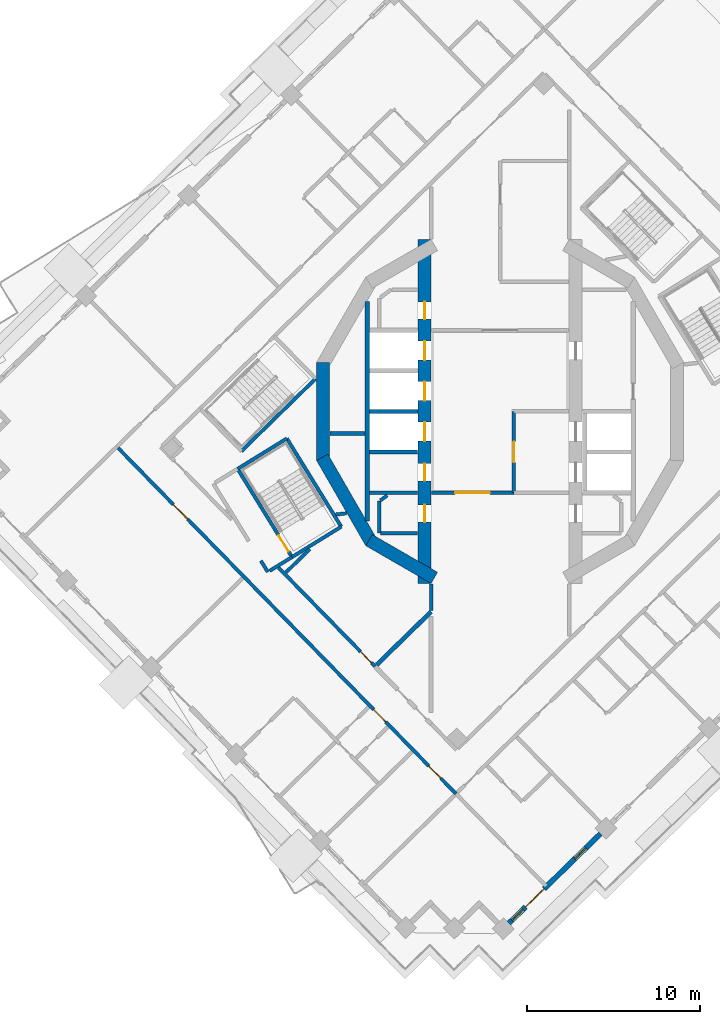
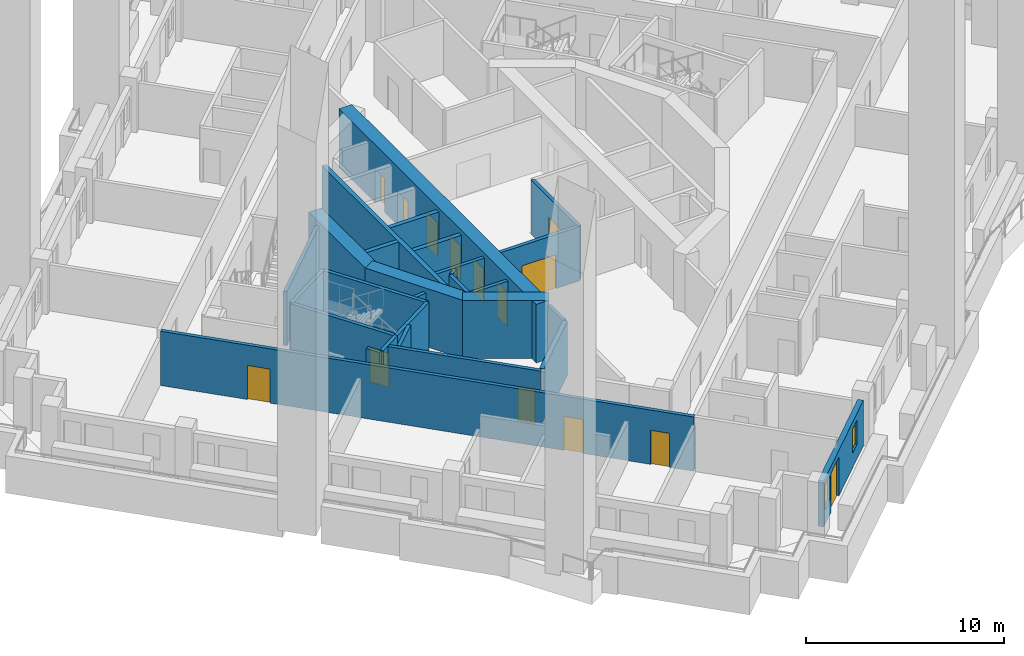
# One storey, part 4 of 17: 28 walls, 14 doors, 2 windows, 16 openings.
"""IFC4 building model written with IfcOpenShell, lengths in metres."""

from ifc_helpers import new_model, si_unit, direction, frame, frame_2d, origin, place, context, subcontext, project, spatial, rectangle, extrude, material, layer, layer_set, type_object, element, fill, save


model = new_model("IFC4")

# Units and contexts
model_context = context("Model", 3, precision=1e-05, world=origin(), true_north=direction((0.0, 1.0)))
body_context = subcontext(model_context, "Body", "Model", "MODEL_VIEW")
ifc_project = project(units=[si_unit("LENGTHUNIT", "METRE"), si_unit("AREAUNIT", "SQUARE_METRE"), si_unit("VOLUMEUNIT", "CUBIC_METRE"), si_unit("PLANEANGLEUNIT", "RADIAN"), si_unit("MASSUNIT", "GRAM", prefix="KILO")], contexts=[model_context])

# Site, building, storey
site_placement = place(None, origin())
site = spatial("IfcSite", under=ifc_project, at=site_placement, CompositionType="ELEMENT")
building_placement = place(site_placement, origin())
building = spatial("IfcBuilding", under=site, at=building_placement, Name="Cantera Rosa Tower", CompositionType="ELEMENT")
storey_placement = place(building_placement, frame((0.0, 0.0, 205.39990234375)))
storey = spatial("IfcBuildingStorey", under=building, at=storey_placement, Name="L43", CompositionType="ELEMENT", Elevation=205.39990234375)

# Wall, openings, doors
ifc_material_1 = material(Name="Gypsum board partition")
ifc_layer_1 = layer(ifc_material_1, 0.199951171875)
ifc_layer_set_1 = layer_set([ifc_layer_1], Name="CORRIDOR WALL 200 H3350")
wall_type_1 = type_object("IfcWallType", Name="CORRIDOR WALL 200 H3350", PredefinedType="PARTITIONING", material=ifc_layer_set_1)
wall_1_placement = place(storey_placement, frame((-22.109130859375, -2.125732421875, 0.0), z_axis=(0.0, 0.0, 1.0), x_axis=(0.698826334324, -0.715291377311, 0.0)))
wall_1 = element("IfcWall", 1, at=wall_1_placement, inside=storey, type_object=wall_type_1, Name="CORRIDOR WALL L43-002", PredefinedType="PARTITIONING", context=body_context, shape_type="SweptSolid", body=[
    extrude(rectangle(XDim=27.97998046875, YDim=0.199951171875, at=frame_2d((13.989990234375, 0.0))), origin(), (0.0, 0.0, 1.0), 3.35009765625),
])
opening_1_placement = place(wall_1_placement, frame((4.550048828125, 0.0, 0.0)))
opening_1 = element("IfcOpeningElement", 2, at=opening_1_placement, cuts=wall_1, Name="Opening L43-038", PredefinedType="OPENING", context=body_context, shape_type="SweptSolid", body=[
    extrude(rectangle(XDim=1.199951171875, YDim=2.10009765625, at=frame_2d((0.60009765625, 1.050048828125))), frame((0.0, 0.10986328125, 0.0), z_axis=(0.0, -1.0, 0.0), x_axis=(1.0, 0.0, 0.0)), (0.0, 0.0, 1.0), 0.219970703125),
])
opening_2_placement = place(wall_1_placement, frame((21.159912109375, 0.0, 0.0)))
opening_2 = element("IfcOpeningElement", 3, at=opening_2_placement, cuts=wall_1, Name="Opening L43-039", PredefinedType="OPENING", context=body_context, shape_type="SweptSolid", body=[
    extrude(rectangle(XDim=1.0, YDim=2.10009765625, at=frame_2d((0.5, 1.050048828125))), frame((0.0, 0.10986328125, 0.0), z_axis=(0.0, -1.0, 0.0), x_axis=(1.0, 0.0, 0.0)), (0.0, 0.0, 1.0), 0.219970703125),
])
opening_3_placement = place(wall_1_placement, frame((25.719970703125, 0.0, 0.0)))
opening_3 = element("IfcOpeningElement", 4, at=opening_3_placement, cuts=wall_1, Name="Opening L43-044", PredefinedType="OPENING", context=body_context, shape_type="SweptSolid", body=[
    extrude(rectangle(XDim=1.0, YDim=2.10009765625, at=frame_2d((0.5, 1.050048828125))), frame((0.0, 0.10986328125, 0.0), z_axis=(0.0, -1.0, 0.0), x_axis=(1.0, 0.0, 0.0)), (0.0, 0.0, 1.0), 0.219970703125),
])
ifc_material_2 = material(Name="Timber door leaf", Category="wood")
door_type_1 = type_object("IfcDoorType", Name="ENTRANCE DOOR 1000x2100", OperationType="NOTDEFINED", PredefinedType="DOOR", material=ifc_material_2)
door_1_placement = place(opening_2_placement, origin())
door_1 = element("IfcDoor", 5, at=door_1_placement, inside=storey, type_object=door_type_1, Name="DOOR L43-039", OperationType="NOTDEFINED", OverallHeight=2.10009765625, OverallWidth=1.0, PredefinedType="DOOR", context=body_context, shape_type="SweptSolid", body=[
    extrude(rectangle(XDim=1.0, YDim=2.10009765625, at=frame_2d((0.5, 1.050048828125))), frame((0.0, 0.02490234375, 0.0), z_axis=(0.0, -1.0, 0.0), x_axis=(1.0, 0.0, 0.0)), (0.0, 0.0, 1.0), 0.050048828125),
])
fill(opening_2, door_1)
ifc_material_3 = material(Name="Timber door leaf", Category="wood")
door_type_2 = type_object("IfcDoorType", Name="ROOM DOOR 1000x2100", OperationType="NOTDEFINED", PredefinedType="DOOR", material=ifc_material_3)
door_2_placement = place(opening_3_placement, origin())
door_2 = element("IfcDoor", 6, at=door_2_placement, inside=storey, type_object=door_type_2, Name="DOOR L43-044", OperationType="NOTDEFINED", OverallHeight=2.10009765625, OverallWidth=1.0, PredefinedType="DOOR", context=body_context, shape_type="SweptSolid", body=[
    extrude(rectangle(XDim=1.0, YDim=2.10009765625, at=frame_2d((0.5, 1.050048828125))), frame((0.0, 0.02490234375, 0.0), z_axis=(0.0, -1.0, 0.0), x_axis=(1.0, 0.0, 0.0)), (0.0, 0.0, 1.0), 0.050048828125),
])
fill(opening_3, door_2)
ifc_material_4 = material(Name="Timber door leaf", Category="wood")
door_type_3 = type_object("IfcDoorType", Name="ROOM DOOR 1200x2100", OperationType="NOTDEFINED", PredefinedType="DOOR", material=ifc_material_4)
door_3_placement = place(opening_1_placement, origin())
door_3 = element("IfcDoor", 7, at=door_3_placement, inside=storey, type_object=door_type_3, Name="DOOR L43-038", OperationType="NOTDEFINED", OverallHeight=2.10009765625, OverallWidth=1.199951171875, PredefinedType="DOOR", context=body_context, shape_type="SweptSolid", body=[
    extrude(rectangle(XDim=1.199951171875, YDim=2.10009765625, at=frame_2d((0.60009765625, 1.050048828125))), frame((0.0, 0.02490234375, 0.0), z_axis=(0.0, -1.0, 0.0), x_axis=(1.0, 0.0, 0.0)), (0.0, 0.0, 1.0), 0.050048828125),
])
fill(opening_1, door_3)

# Walls
wall_2_placement = place(storey_placement, frame((-13.8525390625, -8.64501953125, 0.0), z_axis=(0.0, 0.0, 1.0), x_axis=(0.52482706305, -0.851208877944, 0.0)))
element("IfcWall", 8, at=wall_2_placement, inside=storey, type_object=wall_type_1, Name="CORRIDOR WALL L43-010", PredefinedType="PARTITIONING", context=body_context, shape_type="SweptSolid", body=[
    extrude(rectangle(XDim=0.76513671875, YDim=0.199951171875, at=frame_2d((0.382568359375, 0.0))), origin(), (0.0, 0.0, 1.0), 3.35009765625),
])
wall_3_placement = place(storey_placement, frame((-13.3486328125, -9.2333984375, 0.0), z_axis=(0.0, 0.0, 1.0), x_axis=(0.851042101438, 0.525097459126, 0.0)))
element("IfcWall", 9, at=wall_3_placement, inside=storey, type_object=wall_type_1, Name="CORRIDOR WALL L43-016", PredefinedType="PARTITIONING", context=body_context, shape_type="SweptSolid", body=[
    extrude(rectangle(XDim=1.52490234375, YDim=0.199951171875, at=frame_2d((0.762451171875, 0.0))), origin(), (0.0, 0.0, 1.0), 3.35009765625),
])

# Wall, opening, door
wall_4_placement = place(storey_placement, frame((-12.828125, -9.0498046875, 0.0), z_axis=(0.0, 0.0, 1.0), x_axis=(0.698825688906, -0.715292007871, 0.0)))
wall_4 = element("IfcWall", 10, at=wall_4_placement, inside=storey, type_object=wall_type_1, Name="CORRIDOR WALL L43-019", PredefinedType="PARTITIONING", context=body_context, shape_type="SweptSolid", body=[
    extrude(rectangle(XDim=7.991455078125, YDim=0.199951171875, at=frame_2d((3.99560546875, 0.0))), origin(), (0.0, 0.0, 1.0), 3.35009765625),
])
opening_4_placement = place(wall_4_placement, frame((6.79150390625, 0.0, 0.0)))
opening_4 = element("IfcOpeningElement", 11, at=opening_4_placement, cuts=wall_4, Name="Opening L43-009", PredefinedType="OPENING", context=body_context, shape_type="SweptSolid", body=[
    extrude(rectangle(XDim=0.89990234375, YDim=2.10009765625, at=frame_2d((0.449951171875, 1.050048828125))), frame((0.0, 0.10986328125, 0.0), z_axis=(0.0, -1.0, 0.0), x_axis=(1.0, 0.0, 0.0)), (0.0, 0.0, 1.0), 0.219970703125),
])
ifc_material_5 = material(Name="Timber door leaf", Category="wood")
door_type_4 = type_object("IfcDoorType", Name="SERVICE DOOR 900x2100", OperationType="NOTDEFINED", PredefinedType="DOOR", material=ifc_material_5)
door_4_placement = place(opening_4_placement, origin())
door_4 = element("IfcDoor", 12, at=door_4_placement, inside=storey, type_object=door_type_4, Name="DOOR L43-009", OperationType="NOTDEFINED", OverallHeight=2.10009765625, OverallWidth=0.89990234375, PredefinedType="DOOR", context=body_context, shape_type="SweptSolid", body=[
    extrude(rectangle(XDim=0.89990234375, YDim=2.10009765625, at=frame_2d((0.449951171875, 1.050048828125))), frame((0.0, 0.02490234375, 0.0), z_axis=(0.0, -1.0, 0.0), x_axis=(1.0, 0.0, 0.0)), (0.0, 0.0, 1.0), 0.050048828125),
])
fill(opening_4, door_4)

# Wall
wall_5_placement = place(storey_placement, frame((-4.0, -9.994140625, 0.0), z_axis=(0.0, 0.0, 1.0), x_axis=(0.0, -1.0, 0.0)))
element("IfcWall", 13, at=wall_5_placement, inside=storey, type_object=wall_type_1, Name="CORRIDOR WALL L43-057", PredefinedType="PARTITIONING", context=body_context, shape_type="SweptSolid", body=[
    extrude(rectangle(XDim=1.52294921875, YDim=0.199951171875, at=frame_2d((0.761474609375, 0.0))), origin(), (0.0, 0.0, 1.0), 3.35009765625),
])

# Wall, opening, door
wall_6_placement = place(storey_placement, frame((0.800048828125, -4.699951171875, 0.0), z_axis=(0.0, 0.0, 1.0), x_axis=(-1.0, 0.0, 0.0)))
wall_6 = element("IfcWall", 14, at=wall_6_placement, inside=storey, type_object=wall_type_1, Name="CORRIDOR WALL L43-068", PredefinedType="PARTITIONING", context=body_context, shape_type="SweptSolid", body=[
    extrude(rectangle(XDim=4.77001953125, YDim=0.199951171875, at=frame_2d((2.385009765625, 0.0))), origin(), (0.0, 0.0, 1.0), 3.35009765625),
])
opening_5_placement = place(wall_6_placement, frame((1.39990234375, 0.0, 0.0)))
opening_5 = element("IfcOpeningElement", 15, at=opening_5_placement, cuts=wall_6, Name="Opening L43-015", PredefinedType="OPENING", context=body_context, shape_type="SweptSolid", body=[
    extrude(rectangle(XDim=2.0, YDim=2.10009765625, at=frame_2d((1.0, 1.050048828125))), frame((0.0, 0.10986328125, 0.0), z_axis=(0.0, -1.0, 0.0), x_axis=(1.0, 0.0, 0.0)), (0.0, 0.0, 1.0), 0.219970703125),
])
ifc_material_6 = material(Name="Steel S355J2 (EN 10025-2)", Category="steel")
door_type_5 = type_object("IfcDoorType", Name="LOBBY SCREEN DOOR 2000x2100", OperationType="NOTDEFINED", PredefinedType="DOOR", material=ifc_material_6)
door_5_placement = place(opening_5_placement, origin())
door_5 = element("IfcDoor", 16, at=door_5_placement, inside=storey, type_object=door_type_5, Name="DOOR L43-015", OperationType="NOTDEFINED", OverallHeight=2.10009765625, OverallWidth=2.0, PredefinedType="DOOR", context=body_context, shape_type="SweptSolid", body=[
    extrude(rectangle(XDim=2.0, YDim=2.10009765625, at=frame_2d((1.0, 1.050048828125))), frame((0.0, 0.02490234375, 0.0), z_axis=(0.0, -1.0, 0.0), x_axis=(1.0, 0.0, 0.0)), (0.0, 0.0, 1.0), 0.050048828125),
])
fill(opening_5, door_5)

# Wall, openings, windows, door
ifc_material_7 = material(Name="Hollow clay masonry with cantera stone cladding", Category="masonry")
ifc_layer_2 = layer(ifc_material_7, 0.300048828125)
ifc_layer_set_2 = layer_set([ifc_layer_2], Name="EW-LOGGIA 300 H2820")
wall_type_2 = type_object("IfcWallType", Name="EW-LOGGIA 300 H2820", PredefinedType="SOLIDWALL", material=ifc_layer_set_2)
wall_7_placement = place(storey_placement, frame((0.503662109375, -29.6357421875, 0.0), z_axis=(0.0, 0.0, 1.0), x_axis=(0.715284379566, 0.698833496871, 0.0)))
wall_7 = element("IfcWall", 17, at=wall_7_placement, inside=storey, type_object=wall_type_2, Name="EN-L43-W21", PredefinedType="SOLIDWALL", context=body_context, shape_type="SweptSolid", body=[
    extrude(rectangle(XDim=7.42041015625, YDim=0.300048828125, at=frame_2d((3.710205078125, 0.0))), origin(), (0.0, 0.0, 1.0), 2.820068359375),
])
opening_6_placement = place(wall_7_placement, frame((0.25, 0.0, 0.89990234375)))
opening_6 = element("IfcOpeningElement", 18, at=opening_6_placement, cuts=wall_7, Name="Opening L43-W37", PredefinedType="OPENING", context=body_context, shape_type="SweptSolid", body=[
    extrude(rectangle(XDim=0.89990234375, YDim=1.5, at=frame_2d((0.449951171875, 0.75))), frame((0.0, 0.159912109375, 0.0), z_axis=(0.0, -1.0, 0.0), x_axis=(1.0, 0.0, 0.0)), (0.0, 0.0, 1.0), 0.320068359375),
])
opening_7_placement = place(wall_7_placement, frame((1.35009765625, 0.0, 0.0)))
opening_7 = element("IfcOpeningElement", 19, at=opening_7_placement, cuts=wall_7, Name="Opening L43-TD38", PredefinedType="OPENING", context=body_context, shape_type="SweptSolid", body=[
    extrude(rectangle(XDim=1.5, YDim=2.39990234375, at=frame_2d((0.75, 1.199951171875))), frame((0.0, 0.159912109375, 0.0), z_axis=(0.0, -1.0, 0.0), x_axis=(1.0, 0.0, 0.0)), (0.0, 0.0, 1.0), 0.320068359375),
])
opening_8_placement = place(wall_7_placement, frame((5.340087890625, 0.0, 0.89990234375)))
opening_8 = element("IfcOpeningElement", 20, at=opening_8_placement, cuts=wall_7, Name="Opening L43-W39", PredefinedType="OPENING", context=body_context, shape_type="SweptSolid", body=[
    extrude(rectangle(XDim=0.89990234375, YDim=1.5, at=frame_2d((0.449951171875, 0.75))), frame((0.0, 0.159912109375, 0.0), z_axis=(0.0, -1.0, 0.0), x_axis=(1.0, 0.0, 0.0)), (0.0, 0.0, 1.0), 0.320068359375),
])
ifc_material_8 = material(Name="Aluminium frame with clear glass", Category="aluminium")
window_type = type_object("IfcWindowType", Name="Residential window 900x1500", PartitioningType="SINGLE_PANEL", PredefinedType="WINDOW", material=ifc_material_8)
window_1_placement = place(opening_6_placement, origin())
window_1 = element("IfcWindow", 21, at=window_1_placement, inside=storey, type_object=window_type, Name="WINDOW L43-W37", OverallHeight=1.5, OverallWidth=0.89990234375, PartitioningType="SINGLE_PANEL", PredefinedType="WINDOW", context=body_context, shape_type="SweptSolid", body=[
    extrude(rectangle(XDim=0.89990234375, YDim=1.5, at=frame_2d((0.449951171875, 0.75))), frame((0.0, 0.030029296875, 0.0), z_axis=(0.0, -1.0, 0.0), x_axis=(1.0, 0.0, 0.0)), (0.0, 0.0, 1.0), 0.06005859375),
])
fill(opening_6, window_1)
window_2_placement = place(opening_8_placement, origin())
window_2 = element("IfcWindow", 22, at=window_2_placement, inside=storey, type_object=window_type, Name="WINDOW L43-W39", OverallHeight=1.5, OverallWidth=0.89990234375, PartitioningType="SINGLE_PANEL", PredefinedType="WINDOW", context=body_context, shape_type="SweptSolid", body=[
    extrude(rectangle(XDim=0.89990234375, YDim=1.5, at=frame_2d((0.449951171875, 0.75))), frame((0.0, 0.030029296875, 0.0), z_axis=(0.0, -1.0, 0.0), x_axis=(1.0, 0.0, 0.0)), (0.0, 0.0, 1.0), 0.06005859375),
])
fill(opening_8, window_2)
ifc_material_9 = material(Name="Aluminium frame with clear glass", Category="aluminium")
door_type_6 = type_object("IfcDoorType", Name="TD-R 1500x2400", OperationType="NOTDEFINED", PredefinedType="DOOR", material=ifc_material_9)
door_6_placement = place(opening_7_placement, origin())
door_6 = element("IfcDoor", 23, at=door_6_placement, inside=storey, type_object=door_type_6, Name="LOGGIA DOOR L43-TD38", OperationType="SLIDING_TO_LEFT", OverallHeight=2.39990234375, OverallWidth=1.5, PredefinedType="DOOR", context=body_context, shape_type="SweptSolid", body=[
    extrude(rectangle(XDim=1.5, YDim=2.39990234375, at=frame_2d((0.75, 1.199951171875))), frame((0.0, 0.02490234375, 0.0), z_axis=(0.0, -1.0, 0.0), x_axis=(1.0, 0.0, 0.0)), (0.0, 0.0, 1.0), 0.050048828125),
])
fill(opening_7, door_6)

# Walls
ifc_material_10 = material(Name="Gypsum board partition")
ifc_layer_3 = layer(ifc_material_10, 0.199951171875)
ifc_layer_set_3 = layer_set([ifc_layer_3], Name="PARTITION 200 H3350")
wall_type_3 = type_object("IfcWallType", Name="PARTITION 200 H3350", PredefinedType="PARTITIONING", material=ifc_layer_set_3)
wall_8_placement = place(storey_placement, frame((-12.398681640625, -9.3173828125, 0.0), z_axis=(0.0, 0.0, 1.0), x_axis=(0.715286416819, 0.698831411654, 0.0)))
element("IfcWall", 24, at=wall_8_placement, inside=storey, type_object=wall_type_3, Name="PARTITION L43-022", PredefinedType="PARTITIONING", context=body_context, shape_type="SweptSolid", body=[
    extrude(rectangle(XDim=1.9287109375, YDim=0.199951171875, at=frame_2d((0.96435546875, 0.0))), origin(), (0.0, 0.0, 1.0), 3.35009765625),
])
wall_9_placement = place(storey_placement, frame((-8.8984375, -5.897705078125, 0.0), z_axis=(0.0, 0.0, 1.0), x_axis=(-0.99324363657, -0.11604774196, 0.0)))
element("IfcWall", 25, at=wall_9_placement, inside=storey, type_object=wall_type_3, Name="PARTITION L43-032", PredefinedType="PARTITIONING", context=body_context, shape_type="SweptSolid", body=[
    extrude(rectangle(XDim=0.624755859375, YDim=0.199951171875, at=frame_2d((0.3125, 0.0))), origin(), (0.0, 0.0, 1.0), 3.35009765625),
])
wall_10_placement = place(storey_placement, frame((-7.0, -7.050048828125, 0.0), z_axis=(0.0, 0.0, 1.0), x_axis=(0.0, 1.0, 0.0)))
element("IfcWall", 26, at=wall_10_placement, inside=storey, type_object=wall_type_3, Name="PARTITION L43-043", PredefinedType="PARTITIONING", context=body_context, shape_type="SweptSolid", body=[
    extrude(rectangle(XDim=1.85009765625, YDim=0.199951171875, at=frame_2d((0.925048828125, 0.0))), origin(), (0.0, 0.0, 1.0), 3.35009765625),
])
wall_11_placement = place(storey_placement, frame((-6.935302734375, -5.15283203125, 0.0), z_axis=(0.0, 0.0, 1.0), x_axis=(0.808368872862, 0.588676282338, 0.0)))
element("IfcWall", 27, at=wall_11_placement, inside=storey, type_object=wall_type_3, Name="PARTITION L43-044", PredefinedType="PARTITIONING", context=body_context, shape_type="SweptSolid", body=[
    extrude(rectangle(XDim=0.489013671875, YDim=0.199951171875, at=frame_2d((0.24462890625, 0.0))), origin(), (0.0, 0.0, 1.0), 3.35009765625),
])
wall_12_placement = place(storey_placement, frame((-4.780029296875, -7.050048828125, 0.0), z_axis=(0.0, 0.0, 1.0), x_axis=(-1.0, 0.0, 0.0)))
element("IfcWall", 28, at=wall_12_placement, inside=storey, type_object=wall_type_3, Name="PARTITION L43-052", PredefinedType="PARTITIONING", context=body_context, shape_type="SweptSolid", body=[
    extrude(rectangle(XDim=2.139892578125, YDim=0.199951171875, at=frame_2d((1.06982421875, 0.0))), origin(), (0.0, 0.0, 1.0), 3.35009765625),
])
wall_13_placement = place(storey_placement, frame((-4.780029296875, -4.699951171875, 0.0), z_axis=(0.0, 0.0, 1.0), x_axis=(-1.0, 0.0, 0.0)))
element("IfcWall", 29, at=wall_13_placement, inside=storey, type_object=wall_type_3, Name="PARTITION L43-053", PredefinedType="PARTITIONING", context=body_context, shape_type="SweptSolid", body=[
    extrude(rectangle(XDim=2.794921875, YDim=0.199951171875, at=frame_2d((1.3974609375, 0.0))), origin(), (0.0, 0.0, 1.0), 3.35009765625),
])
ifc_material_11 = material(Name="Concrete C60/75", Category="concrete")
ifc_layer_4 = layer(ifc_material_11, 0.75)
ifc_layer_set_4 = layer_set([ifc_layer_4], Name="RC CORE WALL 750 C60/75")
wall_type_4 = type_object("IfcWallType", Name="RC CORE WALL 750 C60/75", PredefinedType="SHEAR", material=ifc_layer_set_4)
wall_14_placement = place(storey_placement, frame((-3.8125, -9.634765625, 0.0), z_axis=(0.0, 0.0, 1.0), x_axis=(-0.866013176292, 0.50002117804, 0.0)))
element("IfcWall", 30, at=wall_14_placement, inside=storey, type_object=wall_type_4, Name="CW-W1 L43", PredefinedType="SHEAR", context=body_context, shape_type="SweptSolid", body=[
    extrude(rectangle(XDim=4.362548828125, YDim=0.75, at=frame_2d((2.18115234375, 0.0))), origin(), (0.0, 0.0, 1.0), 3.60009765625),
])
wall_15_placement = place(storey_placement, frame((-7.453369140625, -7.590576171875, 0.0), z_axis=(0.0, 0.0, 1.0), x_axis=(-0.500021842983, 0.866012792365, 0.0)))
element("IfcWall", 31, at=wall_15_placement, inside=storey, type_object=wall_type_4, Name="CW-W2 L43", PredefinedType="SHEAR", context=body_context, shape_type="SweptSolid", body=[
    extrude(rectangle(XDim=5.694091796875, YDim=0.75, at=frame_2d((2.84716796875, 0.0))), origin(), (0.0, 0.0, 1.0), 3.60009765625),
])
wall_16_placement = place(storey_placement, frame((-10.250244140625, -2.846923828125, 0.0), z_axis=(0.0, 0.0, 1.0), x_axis=(0.0, 1.0, 0.0)))
element("IfcWall", 32, at=wall_16_placement, inside=storey, type_object=wall_type_4, Name="CW-W3 L43", PredefinedType="SHEAR", context=body_context, shape_type="SweptSolid", body=[
    extrude(rectangle(XDim=5.69384765625, YDim=0.75, at=frame_2d((2.846923828125, 0.0))), origin(), (0.0, 0.0, 1.0), 3.60009765625),
])

# Wall, openings, doors
wall_17_placement = place(storey_placement, frame((-4.375, 9.95947265625, 0.0), z_axis=(0.0, 0.0, 1.0), x_axis=(0.0, -1.0, 0.0)))
wall_17 = element("IfcWall", 33, at=wall_17_placement, inside=storey, type_object=wall_type_4, Name="CW-W6 L43", PredefinedType="SHEAR", context=body_context, shape_type="SweptSolid", body=[
    extrude(rectangle(XDim=19.9189453125, YDim=0.75, at=frame_2d((9.95947265625, 0.0))), origin(), (0.0, 0.0, 1.0), 3.60009765625),
])
opening_9_placement = place(wall_17_placement, frame((10.58447265625, 0.0, 0.0)))
opening_9 = element("IfcOpeningElement", 34, at=opening_9_placement, cuts=wall_17, Name="Opening LD-H1-L43", PredefinedType="OPENING", context=body_context, shape_type="SweptSolid", body=[
    extrude(rectangle(XDim=1.10009765625, YDim=2.10009765625, at=frame_2d((0.550048828125, 1.050048828125))), frame((0.0, 0.385009765625, 0.0), z_axis=(0.0, -1.0, 0.0), x_axis=(1.0, 0.0, 0.0)), (0.0, 0.0, 1.0), 0.77001953125),
])
opening_10_placement = place(wall_17_placement, frame((8.234619140625, 0.0, 0.0)))
opening_10 = element("IfcOpeningElement", 35, at=opening_10_placement, cuts=wall_17, Name="Opening LD-H2-L43", PredefinedType="OPENING", context=body_context, shape_type="SweptSolid", body=[
    extrude(rectangle(XDim=1.10009765625, YDim=2.10009765625, at=frame_2d((0.550048828125, 1.050048828125))), frame((0.0, 0.385009765625, 0.0), z_axis=(0.0, -1.0, 0.0), x_axis=(1.0, 0.0, 0.0)), (0.0, 0.0, 1.0), 0.77001953125),
])
opening_11_placement = place(wall_17_placement, frame((5.884521484375, 0.0, 0.0)))
opening_11 = element("IfcOpeningElement", 36, at=opening_11_placement, cuts=wall_17, Name="Opening LD-H3-L43", PredefinedType="OPENING", context=body_context, shape_type="SweptSolid", body=[
    extrude(rectangle(XDim=1.10009765625, YDim=2.10009765625, at=frame_2d((0.550048828125, 1.050048828125))), frame((0.0, 0.385009765625, 0.0), z_axis=(0.0, -1.0, 0.0), x_axis=(1.0, 0.0, 0.0)), (0.0, 0.0, 1.0), 0.77001953125),
])
opening_12_placement = place(wall_17_placement, frame((15.368408203125, 0.0, 0.0)))
opening_12 = element("IfcOpeningElement", 37, at=opening_12_placement, cuts=wall_17, Name="Opening SD-L43-18", PredefinedType="OPENING", context=body_context, shape_type="SweptSolid", body=[
    extrude(rectangle(XDim=1.0, YDim=2.10009765625, at=frame_2d((0.5, 1.050048828125))), frame((0.0, 0.385009765625, 0.0), z_axis=(0.0, -1.0, 0.0), x_axis=(1.0, 0.0, 0.0)), (0.0, 0.0, 1.0), 0.77001953125),
])
opening_13_placement = place(wall_17_placement, frame((3.618408203125, 0.0, 0.0)))
opening_13 = element("IfcOpeningElement", 38, at=opening_13_placement, cuts=wall_17, Name="Opening SD-L43-19", PredefinedType="OPENING", context=body_context, shape_type="SweptSolid", body=[
    extrude(rectangle(XDim=1.0, YDim=2.10009765625, at=frame_2d((0.5, 1.050048828125))), frame((0.0, 0.385009765625, 0.0), z_axis=(0.0, -1.0, 0.0), x_axis=(1.0, 0.0, 0.0)), (0.0, 0.0, 1.0), 0.77001953125),
])
opening_14_placement = place(wall_17_placement, frame((12.984619140625, 0.0, 0.0)))
opening_14 = element("IfcOpeningElement", 39, at=opening_14_placement, cuts=wall_17, Name="Opening SD-L43-20", PredefinedType="OPENING", context=body_context, shape_type="SweptSolid", body=[
    extrude(rectangle(XDim=1.0, YDim=2.10009765625, at=frame_2d((0.5, 1.050048828125))), frame((0.0, 0.385009765625, 0.0), z_axis=(0.0, -1.0, 0.0), x_axis=(1.0, 0.0, 0.0)), (0.0, 0.0, 1.0), 0.77001953125),
])
ifc_material_12 = material(Name="Steel S355J2 (EN 10025-2)", Category="steel")
door_type_7 = type_object("IfcDoorType", Name="LANDING DOOR 1100x2100", OperationType="NOTDEFINED", PredefinedType="DOOR", material=ifc_material_12)
door_7_placement = place(opening_9_placement, origin())
door_7 = element("IfcDoor", 40, at=door_7_placement, inside=storey, type_object=door_type_7, Name="LANDING DOOR H1 L43", OperationType="SLIDING_TO_LEFT", OverallHeight=2.10009765625, OverallWidth=1.10009765625, PredefinedType="DOOR", context=body_context, shape_type="SweptSolid", body=[
    extrude(rectangle(XDim=1.10009765625, YDim=2.10009765625, at=frame_2d((0.550048828125, 1.050048828125))), frame((0.0, 0.02490234375, 0.0), z_axis=(0.0, -1.0, 0.0), x_axis=(1.0, 0.0, 0.0)), (0.0, 0.0, 1.0), 0.050048828125),
])
fill(opening_9, door_7)
door_8_placement = place(opening_10_placement, origin())
door_8 = element("IfcDoor", 41, at=door_8_placement, inside=storey, type_object=door_type_7, Name="LANDING DOOR H2 L43", OperationType="SLIDING_TO_LEFT", OverallHeight=2.10009765625, OverallWidth=1.10009765625, PredefinedType="DOOR", context=body_context, shape_type="SweptSolid", body=[
    extrude(rectangle(XDim=1.10009765625, YDim=2.10009765625, at=frame_2d((0.550048828125, 1.050048828125))), frame((0.0, 0.02490234375, 0.0), z_axis=(0.0, -1.0, 0.0), x_axis=(1.0, 0.0, 0.0)), (0.0, 0.0, 1.0), 0.050048828125),
])
fill(opening_10, door_8)
door_9_placement = place(opening_11_placement, origin())
door_9 = element("IfcDoor", 42, at=door_9_placement, inside=storey, type_object=door_type_7, Name="LANDING DOOR H3 L43", OperationType="SLIDING_TO_LEFT", OverallHeight=2.10009765625, OverallWidth=1.10009765625, PredefinedType="DOOR", context=body_context, shape_type="SweptSolid", body=[
    extrude(rectangle(XDim=1.10009765625, YDim=2.10009765625, at=frame_2d((0.550048828125, 1.050048828125))), frame((0.0, 0.02490234375, 0.0), z_axis=(0.0, -1.0, 0.0), x_axis=(1.0, 0.0, 0.0)), (0.0, 0.0, 1.0), 0.050048828125),
])
fill(opening_11, door_9)
ifc_material_13 = material(Name="Timber door leaf", Category="wood")
door_type_8 = type_object("IfcDoorType", Name="SERVICE DOOR 1000x2100", OperationType="NOTDEFINED", PredefinedType="DOOR", material=ifc_material_13)
door_10_placement = place(opening_12_placement, origin())
door_10 = element("IfcDoor", 43, at=door_10_placement, inside=storey, type_object=door_type_8, Name="DOOR L43-SD18", OperationType="NOTDEFINED", OverallHeight=2.10009765625, OverallWidth=1.0, PredefinedType="DOOR", context=body_context, shape_type="SweptSolid", body=[
    extrude(rectangle(XDim=1.0, YDim=2.10009765625, at=frame_2d((0.5, 1.050048828125))), frame((0.0, 0.02490234375, 0.0), z_axis=(0.0, -1.0, 0.0), x_axis=(1.0, 0.0, 0.0)), (0.0, 0.0, 1.0), 0.050048828125),
])
fill(opening_12, door_10)
door_11_placement = place(opening_13_placement, origin())
door_11 = element("IfcDoor", 44, at=door_11_placement, inside=storey, type_object=door_type_8, Name="DOOR L43-SD19", OperationType="NOTDEFINED", OverallHeight=2.10009765625, OverallWidth=1.0, PredefinedType="DOOR", context=body_context, shape_type="SweptSolid", body=[
    extrude(rectangle(XDim=1.0, YDim=2.10009765625, at=frame_2d((0.5, 1.050048828125))), frame((0.0, 0.02490234375, 0.0), z_axis=(0.0, -1.0, 0.0), x_axis=(1.0, 0.0, 0.0)), (0.0, 0.0, 1.0), 0.050048828125),
])
fill(opening_13, door_11)
door_12_placement = place(opening_14_placement, origin())
door_12 = element("IfcDoor", 45, at=door_12_placement, inside=storey, type_object=door_type_8, Name="DOOR L43-SD20", OperationType="NOTDEFINED", OverallHeight=2.10009765625, OverallWidth=1.0, PredefinedType="DOOR", context=body_context, shape_type="SweptSolid", body=[
    extrude(rectangle(XDim=1.0, YDim=2.10009765625, at=frame_2d((0.5, 1.050048828125))), frame((0.0, 0.02490234375, 0.0), z_axis=(0.0, -1.0, 0.0), x_axis=(1.0, 0.0, 0.0)), (0.0, 0.0, 1.0), 0.050048828125),
])
fill(opening_14, door_12)

# Walls
ifc_material_14 = material(Name="Masonry blockwork", Category="masonry")
ifc_layer_5 = layer(ifc_material_14, 0.25)
ifc_layer_set_5 = layer_set([ifc_layer_5], Name="SHAFT WALL 250 H3350")
wall_type_5 = type_object("IfcWallType", Name="SHAFT WALL 250 H3350", PredefinedType="SOLIDWALL", material=ifc_layer_set_5)
wall_18_placement = place(storey_placement, frame((-9.84521484375, -1.28271484375, 0.0), z_axis=(0.0, 0.0, 1.0), x_axis=(1.0, 0.0, 0.0)))
element("IfcWall", 46, at=wall_18_placement, inside=storey, type_object=wall_type_5, Name="SHAFT WALL L43-027", PredefinedType="SOLIDWALL", context=body_context, shape_type="SweptSolid", body=[
    extrude(rectangle(XDim=2.020263671875, YDim=0.25, at=frame_2d((1.01025390625, 0.0))), origin(), (0.0, 0.0, 1.0), 3.35009765625),
])
wall_19_placement = place(storey_placement, frame((-7.574951171875, -2.35009765625, 0.0), z_axis=(0.0, 0.0, 1.0), x_axis=(1.0, 0.0, 0.0)))
element("IfcWall", 47, at=wall_19_placement, inside=storey, type_object=wall_type_5, Name="SHAFT WALL L43-036", PredefinedType="SOLIDWALL", context=body_context, shape_type="SweptSolid", body=[
    extrude(rectangle(XDim=2.794921875, YDim=0.25, at=frame_2d((1.3974609375, 0.0))), origin(), (0.0, 0.0, 1.0), 3.35009765625),
])
wall_20_placement = place(storey_placement, frame((-7.574951171875, 0.0, 0.0), z_axis=(0.0, 0.0, 1.0), x_axis=(1.0, 0.0, 0.0)))
element("IfcWall", 48, at=wall_20_placement, inside=storey, type_object=wall_type_5, Name="SHAFT WALL L43-037", PredefinedType="SOLIDWALL", context=body_context, shape_type="SweptSolid", body=[
    extrude(rectangle(XDim=2.824951171875, YDim=0.25, at=frame_2d((1.41259765625, 0.0))), origin(), (0.0, 0.0, 1.0), 3.35009765625),
])
wall_21_placement = place(storey_placement, frame((-7.699951171875, 6.353515625, 0.0), z_axis=(0.0, 0.0, 1.0), x_axis=(0.0, -1.0, 0.0)))
element("IfcWall", 49, at=wall_21_placement, inside=storey, type_object=wall_type_5, Name="SHAFT WALL L43-040", PredefinedType="SOLIDWALL", context=body_context, shape_type="SweptSolid", body=[
    extrude(rectangle(XDim=12.70703125, YDim=0.25, at=frame_2d((6.353515625, 0.0))), origin(), (0.0, 0.0, 1.0), 3.35009765625),
])
wall_22_placement = place(storey_placement, frame((-4.0, -11.59716796875, 0.0), z_axis=(0.0, 0.0, 1.0), x_axis=(-0.715281237186, -0.698836713209, 0.0)))
element("IfcWall", 50, at=wall_22_placement, inside=storey, type_object=wall_type_5, Name="SHAFT WALL L43-055", PredefinedType="SOLIDWALL", context=body_context, shape_type="SweptSolid", body=[
    extrude(rectangle(XDim=4.39453125, YDim=0.25, at=frame_2d((2.197265625, 0.0))), origin(), (0.0, 0.0, 1.0), 3.35009765625),
])
ifc_material_15 = material(Name="Concrete C50/60", Category="concrete")
ifc_layer_6 = layer(ifc_material_15, 0.199951171875)
ifc_layer_set_6 = layer_set([ifc_layer_6], Name="STAIR WALL 200 H3350")
wall_type_6 = type_object("IfcWallType", Name="STAIR WALL 200 H3350", PredefinedType="SOLIDWALL", material=ifc_layer_set_6)
wall_23_placement = place(storey_placement, frame((-14.975341796875, -2.294677734375, 0.0), z_axis=(0.0, 0.0, 1.0), x_axis=(0.715278260946, 0.698839759471, 0.0)))
element("IfcWall", 51, at=wall_23_placement, inside=storey, type_object=wall_type_6, Name="STAIR WALL L43-014", PredefinedType="SOLIDWALL", context=body_context, shape_type="SweptSolid", body=[
    extrude(rectangle(XDim=6.0, YDim=0.199951171875, at=frame_2d((3.0, 0.0))), origin(), (0.0, 0.0, 1.0), 3.35009765625),
])
wall_24_placement = place(storey_placement, frame((-12.349365234375, -1.5673828125, 0.0), z_axis=(0.0, 0.0, 1.0), x_axis=(-0.85113993661, -0.524938861495, 0.0)))
element("IfcWall", 52, at=wall_24_placement, inside=storey, type_object=wall_type_6, Name="STAIR WALL L43-023", PredefinedType="SOLIDWALL", context=body_context, shape_type="SweptSolid", body=[
    extrude(rectangle(XDim=3.35009765625, YDim=0.199951171875, at=frame_2d((1.675048828125, 0.0))), origin(), (0.0, 0.0, 1.0), 3.35009765625),
])

# Wall, opening, door
wall_25_placement = place(storey_placement, frame((-12.05078125, -8.4326171875, 0.0), z_axis=(0.0, 0.0, 1.0), x_axis=(-0.524982543144, 0.851112994493, 0.0)))
wall_25 = element("IfcWall", 53, at=wall_25_placement, inside=storey, type_object=wall_type_6, Name="STAIR WALL L43-024", PredefinedType="SOLIDWALL", context=body_context, shape_type="SweptSolid", body=[
    extrude(rectangle(XDim=6.0, YDim=0.199951171875, at=frame_2d((3.0, 0.0))), origin(), (0.0, 0.0, 1.0), 3.35009765625),
])
opening_15_placement = place(wall_25_placement, frame((0.375, 0.0, 0.0)))
opening_15 = element("IfcOpeningElement", 54, at=opening_15_placement, cuts=wall_25, Name="Opening L43-005", PredefinedType="OPENING", context=body_context, shape_type="SweptSolid", body=[
    extrude(rectangle(XDim=1.10009765625, YDim=2.10009765625, at=frame_2d((0.550048828125, 1.050048828125))), frame((0.0, 0.10986328125, 0.0), z_axis=(0.0, -1.0, 0.0), x_axis=(1.0, 0.0, 0.0)), (0.0, 0.0, 1.0), 0.219970703125),
])
ifc_material_16 = material(Name="Steel S355J2 (EN 10025-2)", Category="steel")
door_type_9 = type_object("IfcDoorType", Name="STAIR DOOR 1100x2100", OperationType="NOTDEFINED", PredefinedType="DOOR", material=ifc_material_16)
door_13_placement = place(opening_15_placement, origin())
door_13 = element("IfcDoor", 55, at=door_13_placement, inside=storey, type_object=door_type_9, Name="DOOR L43-005", OperationType="NOTDEFINED", OverallHeight=2.10009765625, OverallWidth=1.10009765625, PredefinedType="DOOR", context=body_context, shape_type="SweptSolid", body=[
    extrude(rectangle(XDim=1.10009765625, YDim=2.10009765625, at=frame_2d((0.550048828125, 1.050048828125))), frame((0.0, 0.02490234375, 0.0), z_axis=(0.0, -1.0, 0.0), x_axis=(1.0, 0.0, 0.0)), (0.0, 0.0, 1.0), 0.050048828125),
])
fill(opening_15, door_13)

# Walls
wall_26_placement = place(storey_placement, frame((-9.199462890625, -6.674072265625, 0.0), z_axis=(0.0, 0.0, 1.0), x_axis=(-0.524982543144, 0.851112994493, 0.0)))
element("IfcWall", 56, at=wall_26_placement, inside=storey, type_object=wall_type_6, Name="STAIR WALL L43-030", PredefinedType="SOLIDWALL", context=body_context, shape_type="SweptSolid", body=[
    extrude(rectangle(XDim=6.0, YDim=0.199951171875, at=frame_2d((3.0, 0.0))), origin(), (0.0, 0.0, 1.0), 3.35009765625),
])
wall_27_placement = place(storey_placement, frame((-9.199462890625, -6.674072265625, 0.0), z_axis=(0.0, 0.0, 1.0), x_axis=(-0.85113993661, -0.524938861495, 0.0)))
element("IfcWall", 57, at=wall_27_placement, inside=storey, type_object=wall_type_6, Name="STAIR WALL L43-031", PredefinedType="SOLIDWALL", context=body_context, shape_type="SweptSolid", body=[
    extrude(rectangle(XDim=3.35009765625, YDim=0.199951171875, at=frame_2d((1.675048828125, 0.0))), origin(), (0.0, 0.0, 1.0), 3.35009765625),
])

# Wall, opening, door
wall_28_placement = place(storey_placement, frame((0.800048828125, -4.699951171875, 0.0), z_axis=(0.0, 0.0, 1.0), x_axis=(0.0, 1.0, 0.0)))
wall_28 = element("IfcWall", 58, at=wall_28_placement, inside=storey, type_object=wall_type_6, Name="STAIR WALL L43-069", PredefinedType="SOLIDWALL", context=body_context, shape_type="SweptSolid", body=[
    extrude(rectangle(XDim=4.699951171875, YDim=0.199951171875, at=frame_2d((2.35009765625, 0.0))), origin(), (0.0, 0.0, 1.0), 3.35009765625),
])
opening_16_placement = place(wall_28_placement, frame((1.75, 0.0, 0.0)))
opening_16 = element("IfcOpeningElement", 59, at=opening_16_placement, cuts=wall_28, Name="Opening L43-016", PredefinedType="OPENING", context=body_context, shape_type="SweptSolid", body=[
    extrude(rectangle(XDim=1.199951171875, YDim=2.10009765625, at=frame_2d((0.60009765625, 1.050048828125))), frame((0.0, 0.10986328125, 0.0), z_axis=(0.0, -1.0, 0.0), x_axis=(1.0, 0.0, 0.0)), (0.0, 0.0, 1.0), 0.219970703125),
])
ifc_material_17 = material(Name="Steel S355J2 (EN 10025-2)", Category="steel")
door_type_10 = type_object("IfcDoorType", Name="FIRE DOOR 1200x2100", OperationType="NOTDEFINED", PredefinedType="DOOR", material=ifc_material_17)
door_14_placement = place(opening_16_placement, origin())
door_14 = element("IfcDoor", 60, at=door_14_placement, inside=storey, type_object=door_type_10, Name="DOOR L43-016", OperationType="NOTDEFINED", OverallHeight=2.10009765625, OverallWidth=1.199951171875, PredefinedType="DOOR", context=body_context, shape_type="SweptSolid", body=[
    extrude(rectangle(XDim=1.199951171875, YDim=2.10009765625, at=frame_2d((0.60009765625, 1.050048828125))), frame((0.0, 0.02490234375, 0.0), z_axis=(0.0, -1.0, 0.0), x_axis=(1.0, 0.0, 0.0)), (0.0, 0.0, 1.0), 0.050048828125),
])
fill(opening_16, door_14)

save(model, "model.ifc")
